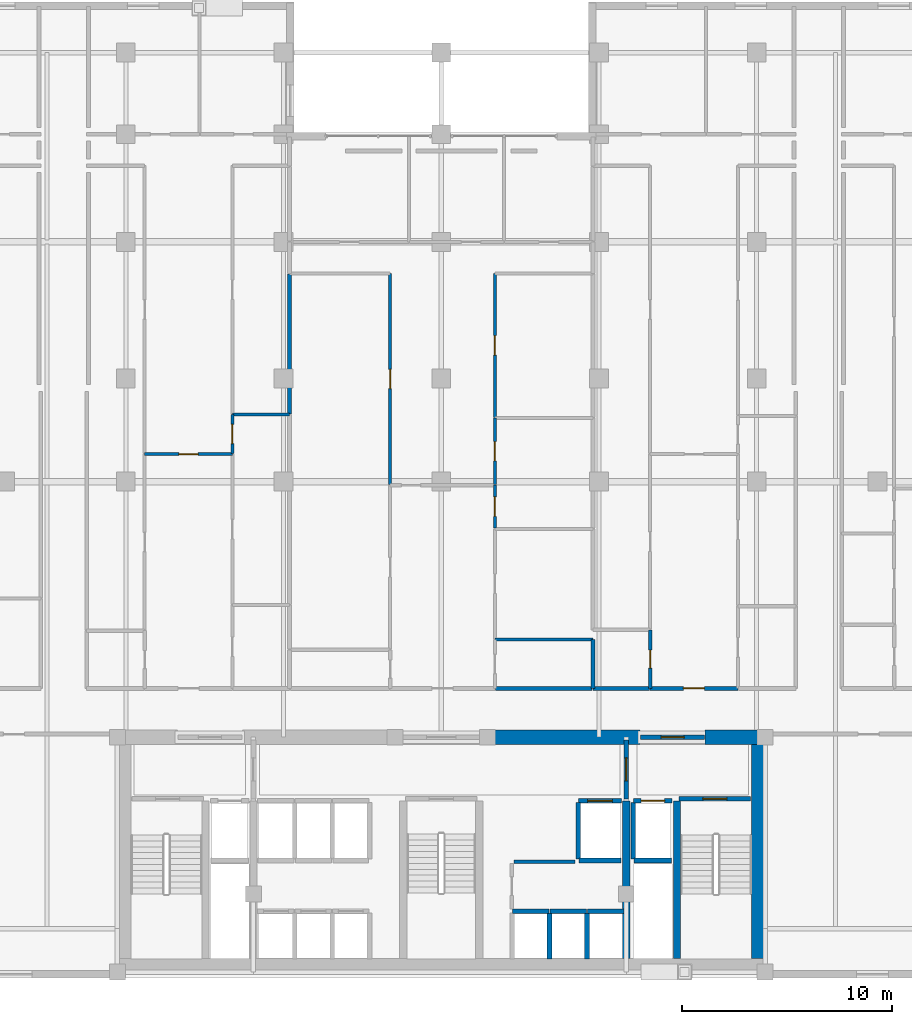
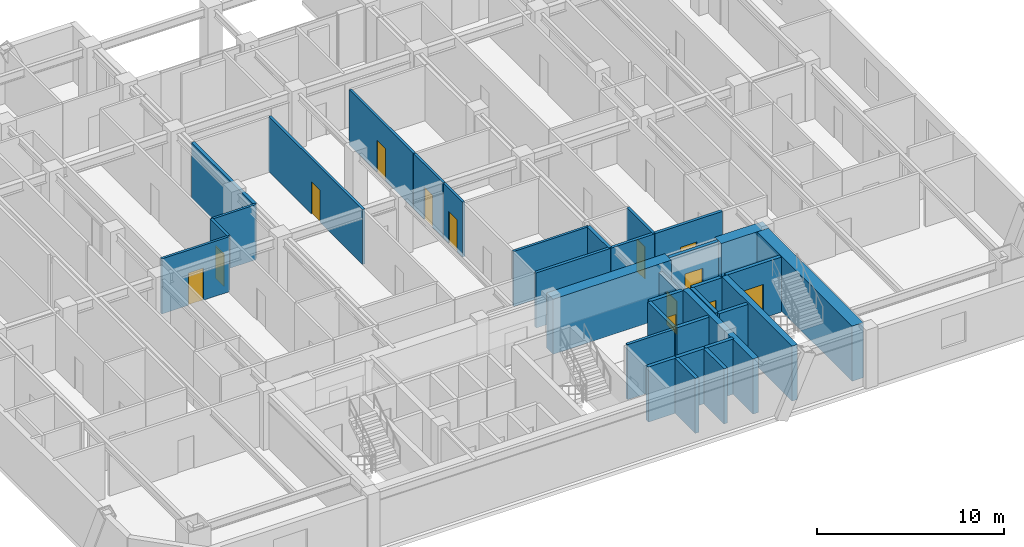
# One storey, part 9 of 14: 34 walls, 13 doors, 13 openings.
"""IFC4 building model written with IfcOpenShell, lengths in metres."""

from ifc_helpers import new_model, si_unit, direction, frame, frame_2d, origin, place, context, subcontext, project, spatial, rectangle, extrude, material, layer, layer_set, type_object, element, fill, save


model = new_model("IFC4")

# Units and contexts
model_context = context("Model", 3, precision=1e-05, world=origin(), true_north=direction((0.0, 1.0)))
body_context = subcontext(model_context, "Body", "Model", "MODEL_VIEW")
ifc_project = project(units=[si_unit("LENGTHUNIT", "METRE"), si_unit("AREAUNIT", "SQUARE_METRE"), si_unit("VOLUMEUNIT", "CUBIC_METRE"), si_unit("PLANEANGLEUNIT", "RADIAN"), si_unit("MASSUNIT", "GRAM", prefix="KILO")], contexts=[model_context])

# Site, building, storey
site_placement = place(None, origin())
site = spatial("IfcSite", under=ifc_project, at=site_placement, CompositionType="ELEMENT")
building_placement = place(site_placement, origin())
building = spatial("IfcBuilding", under=site, at=building_placement, Name="Ventersveld Concourse Tower", CompositionType="ELEMENT")
storey_placement = place(building_placement, frame((0.0, 0.0, 81.050048828125)))
storey = spatial("IfcBuildingStorey", under=building, at=storey_placement, Name="L19", CompositionType="ELEMENT", Elevation=81.050048828125)

# Walls
ifc_material_1 = material(Name="Concrete C60/75", Category="concrete")
ifc_layer_1 = layer(ifc_material_1, 0.35009765625)
ifc_layer_set_1 = layer_set([ifc_layer_1], Name="Concrete C60/75")
wall_type_1 = type_object("IfcWallType", Name="WL-CORE-350L", PredefinedType="SHEAR", material=ifc_layer_set_1)
for number, where, z_axis, x_axis, name in (
    (1, (37.550048828125, 0.919921875, 0.0), (0.0, 0.0, 1.0), (0.0, 1.0, 0.0), "L19 Core Internal Shear Web W-SVL-W"),
    (2, (39.9599609375, 0.919921875, 0.0), (0.0, 0.0, 1.0), (0.0, 1.0, 0.0), "L19 Core Internal Shear Web W-ST2-W"),
):
    element("IfcWall", number, at=place(storey_placement, frame(where, z_axis=z_axis, x_axis=x_axis)), inside=storey, type_object=wall_type_1, Name=name, PredefinedType="SHEAR", context=body_context, shape_type="SweptSolid", body=[
        extrude(rectangle(XDim=7.5, YDim=0.35009765625, at=frame_2d((3.75, 0.0))), origin(), (0.0, 0.0, 1.0), 3.599853515625),
    ])
ifc_layer_2 = layer(ifc_material_1, 0.699951171875)
ifc_layer_set_2 = layer_set([ifc_layer_2], Name="Concrete C60/75")
wall_type_2 = type_object("IfcWallType", Name="WL-CORE-700", PredefinedType="SHEAR", material=ifc_layer_set_2)
wall_1_placement = place(storey_placement, frame((43.85009765625, 0.919921875, 0.0), z_axis=(0.0, 0.0, 1.0), x_axis=(0.0, 1.0, 0.0)))
element("IfcWall", 3, at=wall_1_placement, inside=storey, type_object=wall_type_2, Name="L19 Rear Core East Shear Wall", PredefinedType="SHEAR", context=body_context, shape_type="SweptSolid", body=[
    extrude(rectangle(XDim=10.530029296875, YDim=0.699951171875, at=frame_2d((5.26513671875, 0.0))), origin(), (0.0, 0.0, 1.0), 3.599853515625),
])
wall_2_placement = place(storey_placement, frame((30.89990234375, 11.449951171875, 0.0), z_axis=(0.0, 0.0, 1.0), x_axis=(1.0, 0.0, 0.0)))
element("IfcWall", 4, at=wall_2_placement, inside=storey, type_object=wall_type_2, Name="L19 Rear Core North Shear Wall NMR", PredefinedType="SHEAR", context=body_context, shape_type="SweptSolid", body=[
    extrude(rectangle(XDim=7.300048828125, YDim=0.699951171875, at=frame_2d((3.64990234375, 0.0))), origin(), (0.0, 0.0, 1.0), 3.599853515625),
])
wall_3_placement = place(storey_placement, frame((41.300048828125, 11.449951171875, 0.0), z_axis=(0.0, 0.0, 1.0), x_axis=(1.0, 0.0, 0.0)))
element("IfcWall", 5, at=wall_3_placement, inside=storey, type_object=wall_type_2, Name="L19 Rear Core North Shear Wall NE", PredefinedType="SHEAR", context=body_context, shape_type="SweptSolid", body=[
    extrude(rectangle(XDim=2.949951171875, YDim=0.699951171875, at=frame_2d((1.47509765625, 0.0))), origin(), (0.0, 0.0, 1.0), 3.599853515625),
])
ifc_material_2 = material(Name="Fire-rated autoclaved aerated masonry blockwork", Category="masonry")
ifc_layer_3 = layer(ifc_material_2, 0.179931640625)
ifc_layer_set_3 = layer_set([ifc_layer_3], Name="Fire-rated autoclaved aerated masonry blockwork")
wall_type_3 = type_object("IfcWallType", Name="WL-CORR-180", PredefinedType="PARTITIONING", material=ifc_layer_set_3)
wall_4_placement = place(storey_placement, frame((32.219970703125, 5.530029296875, 0.0), z_axis=(0.0, 0.0, 1.0), x_axis=(1.0, 0.0, 0.0)))
element("IfcWall", 6, at=wall_4_placement, inside=storey, type_object=wall_type_3, Name="L19 Core Top Wall SP-L19-CBAY2", PredefinedType="PARTITIONING", context=body_context, shape_type="SweptSolid", body=[
    extrude(rectangle(XDim=2.900146484375, YDim=0.179931640625, at=frame_2d((1.4501953125, 0.0))), origin(), (0.0, 0.0, 1.0), 3.599853515625),
])

# Wall, opening, door
wall_5_placement = place(storey_placement, frame((38.672119140625, 13.77001953125, 0.0), z_axis=(0.0, 0.0, 1.0), x_axis=(1.0, 0.0, 0.0)))
wall_5 = element("IfcWall", 7, at=wall_5_placement, inside=storey, type_object=wall_type_3, Name="L19 Interior Partition SP-L19-COR-SP-L19-19CE-FOY", PredefinedType="PARTITIONING", context=body_context, shape_type="SweptSolid", body=[
    extrude(rectangle(XDim=4.186279296875, YDim=0.179931640625, at=frame_2d((2.09326171875, 0.0))), origin(), (0.0, 0.0, 1.0), 3.599853515625),
])
opening_1_placement = place(wall_5_placement, frame((1.593017578125, 0.0, 0.0)))
opening_1 = element("IfcOpeningElement", 8, at=opening_1_placement, cuts=wall_5, Name="Opening FD3", PredefinedType="OPENING", context=body_context, shape_type="SweptSolid", body=[
    extrude(rectangle(XDim=1.0, YDim=2.14990234375, at=frame_2d((0.5, 1.074951171875))), frame((0.0, 0.10009765625, 0.0), z_axis=(0.0, -1.0, 0.0), x_axis=(1.0, 0.0, 0.0)), (0.0, 0.0, 1.0), 0.199951171875),
])
ifc_material_3 = material(Name="Solid-core hardwood veneer timber", Category="wood")
door_type_1 = type_object("IfcDoorType", Name="DR-FLAT-100", OperationType="NOTDEFINED", PredefinedType="DOOR", material=ifc_material_3)
door_1_placement = place(opening_1_placement, origin())
door_1 = element("IfcDoor", 9, at=door_1_placement, inside=storey, type_object=door_type_1, Name="L19 Interior Door SP-L19-COR to SP-L19-19CE-FOY (FD-L19-0888)", OperationType="SINGLE_SWING_RIGHT", OverallHeight=2.14990234375, OverallWidth=1.0, PredefinedType="DOOR", context=body_context, shape_type="SweptSolid", body=[
    extrude(rectangle(XDim=1.0, YDim=2.14990234375, at=frame_2d((0.5, 1.074951171875))), frame((0.0, 0.02490234375, 0.0), z_axis=(0.0, -1.0, 0.0), x_axis=(1.0, 0.0, 0.0)), (0.0, 0.0, 1.0), 0.050048828125),
])
fill(opening_1, door_1)

# Walls
wall_6_placement = place(storey_placement, frame((35.955078125, 13.77001953125, 0.0), z_axis=(0.0, 0.0, 1.0), x_axis=(1.0, 0.0, 0.0)))
element("IfcWall", 10, at=wall_6_placement, inside=storey, type_object=wall_type_3, Name="L19 Interior Partition SP-L19-COR-SP-L19-19CE-BATH", PredefinedType="PARTITIONING", context=body_context, shape_type="SweptSolid", body=[
    extrude(rectangle(XDim=2.68701171875, YDim=0.179931640625, at=frame_2d((1.343505859375, 0.0))), origin(), (0.0, 0.0, 1.0), 3.599853515625),
])
wall_7_placement = place(storey_placement, frame((31.334228515625, 13.77001953125, 0.0), z_axis=(0.0, 0.0, 1.0), x_axis=(1.0, 0.0, 0.0)))
element("IfcWall", 11, at=wall_7_placement, inside=storey, type_object=wall_type_3, Name="L19 Interior Partition SP-L19-COR-SP-L19-19CM-KIT", PredefinedType="PARTITIONING", context=body_context, shape_type="SweptSolid", body=[
    extrude(rectangle(XDim=4.5908203125, YDim=0.179931640625, at=frame_2d((2.29541015625, 0.0))), origin(), (0.0, 0.0, 1.0), 3.599853515625),
])
ifc_layer_4 = layer(ifc_material_2, 0.199951171875)
ifc_layer_set_4 = layer_set([ifc_layer_4], Name="Fire-rated autoclaved aerated masonry blockwork")
wall_type_4 = type_object("IfcWallType", Name="WL-DEMISE-200", PredefinedType="PARTITIONING", material=ifc_layer_set_4)
wall_8_placement = place(storey_placement, frame((21.5400390625, 26.822998046875, 0.0), z_axis=(0.0, 0.0, 1.0), x_axis=(0.0, 1.0, 0.0)))
element("IfcWall", 12, at=wall_8_placement, inside=storey, type_object=wall_type_4, Name="L19 Interior Partition SP-L19-19CW-DENS-SP-L19-19CM-SEML0", PredefinedType="PARTITIONING", context=body_context, shape_type="SweptSolid", body=[
    extrude(rectangle(XDim=6.64208984375, YDim=0.199951171875, at=frame_2d((3.321044921875, 0.0))), origin(), (0.0, 0.0, 1.0), 3.599853515625),
])
wall_9_placement = place(storey_placement, frame((35.9599609375, 13.764892578125, 0.0), z_axis=(0.0, 0.0, 1.0), x_axis=(0.0, 1.0, 0.0)))
element("IfcWall", 13, at=wall_9_placement, inside=storey, type_object=wall_type_4, Name="L19 Interior Partition SP-L19-19CE-BATH-SP-L19-19CM-KIT", PredefinedType="PARTITIONING", context=body_context, shape_type="SweptSolid", body=[
    extrude(rectangle(XDim=2.33251953125, YDim=0.199951171875, at=frame_2d((1.166259765625, 0.0))), origin(), (0.0, 0.0, 1.0), 3.599853515625),
])
ifc_layer_5 = layer(ifc_material_2, 0.219970703125)
ifc_layer_set_5 = layer_set([ifc_layer_5], Name="Fire-rated autoclaved aerated masonry blockwork")
wall_type_5 = type_object("IfcWallType", Name="WL-HOIST-220", PredefinedType="SOLIDWALL", material=ifc_layer_set_5)
wall_10_placement = place(storey_placement, frame((37.919921875, 5.590087890625, 0.0), z_axis=(0.0, 0.0, 1.0), x_axis=(1.0, 0.0, 0.0)))
element("IfcWall", 14, at=wall_10_placement, inside=storey, type_object=wall_type_5, Name="L19 Lift Hoistway Back Wall FFL-02", PredefinedType="SOLIDWALL", context=body_context, shape_type="SweptSolid", body=[
    extrude(rectangle(XDim=1.780029296875, YDim=0.219970703125, at=frame_2d((0.89013671875, 0.0))), origin(), (0.0, 0.0, 1.0), 3.599853515625),
])
wall_11_placement = place(storey_placement, frame((37.8798828125, 5.64990234375, 0.0), z_axis=(0.0, 0.0, 1.0), x_axis=(0.0, 1.0, 0.0)))
element("IfcWall", 15, at=wall_11_placement, inside=storey, type_object=wall_type_5, Name="L19 Lift Hoistway Side Wall FFL-02W", PredefinedType="SOLIDWALL", context=body_context, shape_type="SweptSolid", body=[
    extrude(rectangle(XDim=2.7001953125, YDim=0.219970703125, at=frame_2d((1.35009765625, 0.0))), origin(), (0.0, 0.0, 1.0), 3.599853515625),
])

# Wall, opening, door
wall_12_placement = place(storey_placement, frame((37.89990234375, 8.429931640625, 0.0), z_axis=(0.0, 0.0, 1.0), x_axis=(1.0, 0.0, 0.0)))
wall_12 = element("IfcWall", 16, at=wall_12_placement, inside=storey, type_object=wall_type_5, Name="L19 Lift Hoistway Front Wall FFL-02", PredefinedType="SOLIDWALL", context=body_context, shape_type="SweptSolid", body=[
    extrude(rectangle(XDim=1.820068359375, YDim=0.219970703125, at=frame_2d((0.91015625, 0.0))), origin(), (0.0, 0.0, 1.0), 3.599853515625),
])
opening_2_placement = place(wall_12_placement, frame((0.35009765625, 0.0, 0.0)))
opening_2 = element("IfcOpeningElement", 17, at=opening_2_placement, cuts=wall_12, Name="Opening LD1", PredefinedType="OPENING", context=body_context, shape_type="SweptSolid", body=[
    extrude(rectangle(XDim=1.1201171875, YDim=2.25, at=frame_2d((0.56005859375, 1.125))), frame((0.0, 0.1201171875, 0.0), z_axis=(0.0, -1.0, 0.0), x_axis=(1.0, 0.0, 0.0)), (0.0, 0.0, 1.0), 0.239990234375),
])
ifc_material_4 = material(Name="Brushed stainless steel 316", Category="steel")
door_type_2 = type_object("IfcDoorType", Name="LD-FF-112", OperationType="SLIDING_TO_LEFT", PredefinedType="DOOR", material=ifc_material_4)
door_2_placement = place(opening_2_placement, origin())
door_2 = element("IfcDoor", 18, at=door_2_placement, inside=storey, type_object=door_type_2, Name="L19 Lift landing door FFL-02 (LD-L19-FFL-02)", OperationType="SLIDING_TO_RIGHT", OverallHeight=2.25, OverallWidth=1.1201171875, PredefinedType="DOOR", context=body_context, shape_type="SweptSolid", body=[
    extrude(rectangle(XDim=1.1201171875, YDim=2.25, at=frame_2d((0.56005859375, 1.125))), frame((0.0, 0.02490234375, 0.0), z_axis=(0.0, -1.0, 0.0), x_axis=(1.0, 0.0, 0.0)), (0.0, 0.0, 1.0), 0.050048828125),
])
fill(opening_2, door_2)

# Walls
wall_13_placement = place(storey_placement, frame((35.300048828125, 5.590087890625, 0.0), z_axis=(0.0, 0.0, 1.0), x_axis=(1.0, 0.0, 0.0)))
element("IfcWall", 19, at=wall_13_placement, inside=storey, type_object=wall_type_5, Name="L19 Lift Hoistway Back Wall SVL-01", PredefinedType="SOLIDWALL", context=body_context, shape_type="SweptSolid", body=[
    extrude(rectangle(XDim=2.0, YDim=0.219970703125, at=frame_2d((1.0, 0.0))), origin(), (0.0, 0.0, 1.0), 3.599853515625),
])
wall_14_placement = place(storey_placement, frame((35.260009765625, 5.64990234375, 0.0), z_axis=(0.0, 0.0, 1.0), x_axis=(0.0, 1.0, 0.0)))
element("IfcWall", 20, at=wall_14_placement, inside=storey, type_object=wall_type_5, Name="L19 Lift Hoistway Side Wall SVL-01W", PredefinedType="SOLIDWALL", context=body_context, shape_type="SweptSolid", body=[
    extrude(rectangle(XDim=2.7001953125, YDim=0.219970703125, at=frame_2d((1.35009765625, 0.0))), origin(), (0.0, 0.0, 1.0), 3.599853515625),
])

# Wall, opening, door
wall_15_placement = place(storey_placement, frame((35.280029296875, 8.429931640625, 0.0), z_axis=(0.0, 0.0, 1.0), x_axis=(1.0, 0.0, 0.0)))
wall_15 = element("IfcWall", 21, at=wall_15_placement, inside=storey, type_object=wall_type_5, Name="L19 Lift Hoistway Front Wall SVL-01", PredefinedType="SOLIDWALL", context=body_context, shape_type="SweptSolid", body=[
    extrude(rectangle(XDim=2.0400390625, YDim=0.219970703125, at=frame_2d((1.02001953125, 0.0))), origin(), (0.0, 0.0, 1.0), 3.599853515625),
])
opening_3_placement = place(wall_15_placement, frame((0.429931640625, 0.0, 0.0)))
opening_3 = element("IfcOpeningElement", 22, at=opening_3_placement, cuts=wall_15, Name="Opening LD2", PredefinedType="OPENING", context=body_context, shape_type="SweptSolid", body=[
    extrude(rectangle(XDim=1.179931640625, YDim=2.199951171875, at=frame_2d((0.58984375, 1.10009765625))), frame((0.0, 0.1201171875, 0.0), z_axis=(0.0, -1.0, 0.0), x_axis=(1.0, 0.0, 0.0)), (0.0, 0.0, 1.0), 0.239990234375),
])
door_type_3 = type_object("IfcDoorType", Name="LD-PAX-118", OperationType="SLIDING_TO_LEFT", PredefinedType="DOOR", material=ifc_material_4)
door_3_placement = place(opening_3_placement, origin())
door_3 = element("IfcDoor", 23, at=door_3_placement, inside=storey, type_object=door_type_3, Name="L19 Lift landing door SVL-01 (LD-L19-SVL-01)", OperationType="SLIDING_TO_LEFT", OverallHeight=2.199951171875, OverallWidth=1.179931640625, PredefinedType="DOOR", context=body_context, shape_type="SweptSolid", body=[
    extrude(rectangle(XDim=1.179931640625, YDim=2.199951171875, at=frame_2d((0.58984375, 1.10009765625))), frame((0.0, 0.02490234375, 0.0), z_axis=(0.0, -1.0, 0.0), x_axis=(1.0, 0.0, 0.0)), (0.0, 0.0, 1.0), 0.050048828125),
])
fill(opening_3, door_3)

# Walls
wall_16_placement = place(storey_placement, frame((33.89990234375, 0.89990234375, 0.0), z_axis=(0.0, 0.0, 1.0), x_axis=(0.0, 1.0, 0.0)))
element("IfcWall", 24, at=wall_16_placement, inside=storey, type_object=wall_type_5, Name="L19 Lift Hoistway Side Wall PM-01E", PredefinedType="SOLIDWALL", context=body_context, shape_type="SweptSolid", body=[
    extrude(rectangle(XDim=2.2001953125, YDim=0.219970703125, at=frame_2d((1.10009765625, 0.0))), origin(), (0.0, 0.0, 1.0), 3.599853515625),
])
wall_17_placement = place(storey_placement, frame((32.139892578125, 3.179931640625, 0.0), z_axis=(0.0, 0.0, 1.0), x_axis=(1.0, 0.0, 0.0)))
element("IfcWall", 25, at=wall_17_placement, inside=storey, type_object=wall_type_5, Name="L19 Lift Hoistway Front Wall PM-01", PredefinedType="SOLIDWALL", context=body_context, shape_type="SweptSolid", body=[
    extrude(rectangle(XDim=1.739990234375, YDim=0.219970703125, at=frame_2d((0.8701171875, 0.0))), origin(), (0.0, 0.0, 1.0), 3.599853515625),
])
wall_18_placement = place(storey_placement, frame((35.679931640625, 0.89990234375, 0.0), z_axis=(0.0, 0.0, 1.0), x_axis=(0.0, 1.0, 0.0)))
element("IfcWall", 26, at=wall_18_placement, inside=storey, type_object=wall_type_5, Name="L19 Lift Hoistway Side Wall PM-02E", PredefinedType="SOLIDWALL", context=body_context, shape_type="SweptSolid", body=[
    extrude(rectangle(XDim=2.2001953125, YDim=0.219970703125, at=frame_2d((1.10009765625, 0.0))), origin(), (0.0, 0.0, 1.0), 3.599853515625),
])
for number, where, z_axis, x_axis, name in (
    (27, (33.919921875, 3.179931640625, 0.0), (0.0, 0.0, 1.0), (1.0, 0.0, 0.0), "L19 Lift Hoistway Front Wall PM-02"),
    (28, (35.699951171875, 3.179931640625, 0.0), (0.0, 0.0, 1.0), (1.0, 0.0, 0.0), "L19 Lift Hoistway Front Wall PM-03"),
):
    element("IfcWall", number, at=place(storey_placement, frame(where, z_axis=z_axis, x_axis=x_axis)), inside=storey, type_object=wall_type_5, Name=name, PredefinedType="SOLIDWALL", context=body_context, shape_type="SweptSolid", body=[
        extrude(rectangle(XDim=1.739990234375, YDim=0.219970703125, at=frame_2d((0.8701171875, 0.0))), origin(), (0.0, 0.0, 1.0), 3.599853515625),
    ])

# Wall, opening, door
wall_19_placement = place(storey_placement, frame((40.06005859375, 8.52001953125, 0.0), z_axis=(0.0, 0.0, 1.0), x_axis=(1.0, 0.0, 0.0)))
wall_19 = element("IfcWall", 29, at=wall_19_placement, inside=storey, type_object=wall_type_5, Name="L19 Escape Stair ST02 Fire Wall", PredefinedType="SOLIDWALL", context=body_context, shape_type="SweptSolid", body=[
    extrude(rectangle(XDim=3.39990234375, YDim=0.219970703125, at=frame_2d((1.699951171875, 0.0))), origin(), (0.0, 0.0, 1.0), 3.599853515625),
])
opening_4_placement = place(wall_19_placement, frame((1.125, 0.0, 0.0)))
opening_4 = element("IfcOpeningElement", 30, at=opening_4_placement, cuts=wall_19, Name="Opening FD1", PredefinedType="OPENING", context=body_context, shape_type="SweptSolid", body=[
    extrude(rectangle(XDim=1.14990234375, YDim=2.199951171875, at=frame_2d((0.574951171875, 1.10009765625))), frame((0.0, 0.1201171875, 0.0), z_axis=(0.0, -1.0, 0.0), x_axis=(1.0, 0.0, 0.0)), (0.0, 0.0, 1.0), 0.239990234375),
])
ifc_material_5 = material(Name="Galvanised painted steel", Category="steel")
door_type_4 = type_object("IfcDoorType", Name="DR-STAIR-115", OperationType="NOTDEFINED", PredefinedType="DOOR", material=ifc_material_5)
door_4_placement = place(opening_4_placement, origin())
door_4 = element("IfcDoor", 31, at=door_4_placement, inside=storey, type_object=door_type_4, Name="L19 Escape Stair Door ST02 (SD-L19-0875)", OperationType="SINGLE_SWING_RIGHT", OverallHeight=2.199951171875, OverallWidth=1.14990234375, PredefinedType="DOOR", context=body_context, shape_type="SweptSolid", body=[
    extrude(rectangle(XDim=1.14990234375, YDim=2.199951171875, at=frame_2d((0.574951171875, 1.10009765625))), frame((0.0, 0.02490234375, 0.0), z_axis=(0.0, -1.0, 0.0), x_axis=(1.0, 0.0, 0.0)), (0.0, 0.0, 1.0), 0.050048828125),
])
fill(opening_4, door_4)

wall_20_placement = place(storey_placement, frame((37.550048828125, 8.52001953125, 0.0), z_axis=(0.0, 0.0, 1.0), x_axis=(0.0, 1.0, 0.0)))
wall_20 = element("IfcWall", 32, at=wall_20_placement, inside=storey, type_object=wall_type_5, Name="L19 Firefighting Lobby Smoke-Stop Wall FFLE-SEP", PredefinedType="SOLIDWALL", context=body_context, shape_type="SweptSolid", body=[
    extrude(rectangle(XDim=2.800048828125, YDim=0.219970703125, at=frame_2d((1.39990234375, 0.0))), origin(), (0.0, 0.0, 1.0), 3.055419921875),
])
opening_5_placement = place(wall_20_placement, frame((0.85009765625, 0.0, 0.0)))
opening_5 = element("IfcOpeningElement", 33, at=opening_5_placement, cuts=wall_20, Name="Opening FD2", PredefinedType="OPENING", context=body_context, shape_type="SweptSolid", body=[
    extrude(rectangle(XDim=1.10009765625, YDim=2.199951171875, at=frame_2d((0.550048828125, 1.10009765625))), frame((0.0, 0.1201171875, 0.0), z_axis=(0.0, -1.0, 0.0), x_axis=(1.0, 0.0, 0.0)), (0.0, 0.0, 1.0), 0.239990234375),
])
door_type_5 = type_object("IfcDoorType", Name="DR-FFL-110", OperationType="NOTDEFINED", PredefinedType="DOOR", material=ifc_material_5)
door_5_placement = place(opening_5_placement, origin())
door_5 = element("IfcDoor", 34, at=door_5_placement, inside=storey, type_object=door_type_5, Name="L19 Firefighting Lobby Door FFLE-SEP (FD-L19-0878)", OperationType="SINGLE_SWING_RIGHT", OverallHeight=2.199951171875, OverallWidth=1.10009765625, PredefinedType="DOOR", context=body_context, shape_type="SweptSolid", body=[
    extrude(rectangle(XDim=1.10009765625, YDim=2.199951171875, at=frame_2d((0.550048828125, 1.10009765625))), frame((0.0, 0.02490234375, 0.0), z_axis=(0.0, -1.0, 0.0), x_axis=(1.0, 0.0, 0.0)), (0.0, 0.0, 1.0), 0.050048828125),
])
fill(opening_5, door_5)

wall_21_placement = place(storey_placement, frame((38.22998046875, 11.449951171875, 0.0), z_axis=(0.0, 0.0, 1.0), x_axis=(1.0, 0.0, 0.0)))
wall_21 = element("IfcWall", 35, at=wall_21_placement, inside=storey, type_object=wall_type_5, Name="L19 Core North Fire Portal FFLE-OUT", PredefinedType="SOLIDWALL", context=body_context, shape_type="SweptSolid", body=[
    extrude(rectangle(XDim=3.0400390625, YDim=0.219970703125, at=frame_2d((1.52001953125, 0.0))), origin(), (0.0, 0.0, 1.0), 3.599853515625),
])
opening_6_placement = place(wall_21_placement, frame((0.969970703125, 0.0, 0.0)))
opening_6 = element("IfcOpeningElement", 36, at=opening_6_placement, cuts=wall_21, Name="Opening FD2", PredefinedType="OPENING", context=body_context, shape_type="SweptSolid", body=[
    extrude(rectangle(XDim=1.10009765625, YDim=2.199951171875, at=frame_2d((0.550048828125, 1.10009765625))), frame((0.0, 0.1201171875, 0.0), z_axis=(0.0, -1.0, 0.0), x_axis=(1.0, 0.0, 0.0)), (0.0, 0.0, 1.0), 0.239990234375),
])
door_6_placement = place(opening_6_placement, origin())
door_6 = element("IfcDoor", 37, at=door_6_placement, inside=storey, type_object=door_type_5, Name="L19 Core Lobby Fire Door FFLE-OUT (FD-L19-0881)", OperationType="SINGLE_SWING_LEFT", OverallHeight=2.199951171875, OverallWidth=1.10009765625, PredefinedType="DOOR", context=body_context, shape_type="SweptSolid", body=[
    extrude(rectangle(XDim=1.10009765625, YDim=2.199951171875, at=frame_2d((0.550048828125, 1.10009765625))), frame((0.0, 0.02490234375, 0.0), z_axis=(0.0, -1.0, 0.0), x_axis=(1.0, 0.0, 0.0)), (0.0, 0.0, 1.0), 0.050048828125),
])
fill(opening_6, door_6)

ifc_material_6 = material(Name="Autoclaved aerated masonry blockwork", Category="masonry")
ifc_layer_6 = layer(ifc_material_6, 0.14990234375)
ifc_layer_set_6 = layer_set([ifc_layer_6], Name="Autoclaved aerated masonry blockwork")
wall_type_6 = type_object("IfcWallType", Name="WL-INT-150", PredefinedType="PARTITIONING", material=ifc_layer_set_6)
wall_22_placement = place(storey_placement, frame((14.6416015625, 24.911865234375, 0.0), z_axis=(0.0, 0.0, 1.0), x_axis=(1.0, 0.0, 0.0)))
wall_22 = element("IfcWall", 38, at=wall_22_placement, inside=storey, type_object=wall_type_6, Name="L19 Interior Partition SP-L19-19CW-FOY-SP-L19-19CW-LIV", PredefinedType="PARTITIONING", context=body_context, shape_type="SweptSolid", body=[
    extrude(rectangle(XDim=4.186279296875, YDim=0.14990234375, at=frame_2d((2.09326171875, 0.0))), origin(), (0.0, 0.0, 1.0), 3.599853515625),
])
opening_7_placement = place(wall_22_placement, frame((1.633056640625, 0.0, 0.0)))
opening_7 = element("IfcOpeningElement", 39, at=opening_7_placement, cuts=wall_22, Name="Opening ID1", PredefinedType="OPENING", context=body_context, shape_type="SweptSolid", body=[
    extrude(rectangle(XDim=0.919921875, YDim=2.10009765625, at=frame_2d((0.4599609375, 1.050048828125))), frame((0.0, 0.0849609375, 0.0), z_axis=(0.0, -1.0, 0.0), x_axis=(1.0, 0.0, 0.0)), (0.0, 0.0, 1.0), 0.169921875),
])
door_type_6 = type_object("IfcDoorType", Name="DR-ROOM-092", OperationType="NOTDEFINED", PredefinedType="DOOR", material=ifc_material_3)
door_7_placement = place(opening_7_placement, origin())
door_7 = element("IfcDoor", 40, at=door_7_placement, inside=storey, type_object=door_type_6, Name="L19 Interior Door SP-L19-19CW-FOY to SP-L19-19CW-LIV (D-L19-0911)", OperationType="SINGLE_SWING_LEFT", OverallHeight=2.10009765625, OverallWidth=0.919921875, PredefinedType="DOOR", context=body_context, shape_type="SweptSolid", body=[
    extrude(rectangle(XDim=0.919921875, YDim=2.10009765625, at=frame_2d((0.4599609375, 1.050048828125))), frame((0.0, 0.02490234375, 0.0), z_axis=(0.0, -1.0, 0.0), x_axis=(1.0, 0.0, 0.0)), (0.0, 0.0, 1.0), 0.050048828125),
])
fill(opening_7, door_7)

wall_23_placement = place(storey_placement, frame((18.82275390625, 24.947021484375, 0.0), z_axis=(0.0, 0.0, 1.0), x_axis=(0.0, 1.0, 0.0)))
wall_23 = element("IfcWall", 41, at=wall_23_placement, inside=storey, type_object=wall_type_6, Name="L19 Interior Partition SP-L19-19CW-LIV-SP-L19-19CW-DENR", PredefinedType="PARTITIONING", context=body_context, shape_type="SweptSolid", body=[
    extrude(rectangle(XDim=1.845947265625, YDim=0.14990234375, at=frame_2d((0.9228515625, 0.0))), origin(), (0.0, 0.0, 1.0), 3.599853515625),
])
opening_8_placement = place(wall_23_placement, frame((0.462890625, 0.0, 0.0)))
opening_8 = element("IfcOpeningElement", 42, at=opening_8_placement, cuts=wall_23, Name="Opening ID1", PredefinedType="OPENING", context=body_context, shape_type="SweptSolid", body=[
    extrude(rectangle(XDim=0.919921875, YDim=2.10009765625, at=frame_2d((0.4599609375, 1.050048828125))), frame((0.0, 0.0849609375, 0.0), z_axis=(0.0, -1.0, 0.0), x_axis=(1.0, 0.0, 0.0)), (0.0, 0.0, 1.0), 0.169921875),
])
door_8_placement = place(opening_8_placement, origin())
door_8 = element("IfcDoor", 43, at=door_8_placement, inside=storey, type_object=door_type_6, Name="L19 Interior Door SP-L19-19CW-LIV to SP-L19-19CW-DENR (D-L19-0917)", OperationType="SINGLE_SWING_LEFT", OverallHeight=2.10009765625, OverallWidth=0.919921875, PredefinedType="DOOR", context=body_context, shape_type="SweptSolid", body=[
    extrude(rectangle(XDim=0.919921875, YDim=2.10009765625, at=frame_2d((0.4599609375, 1.050048828125))), frame((0.0, 0.02490234375, 0.0), z_axis=(0.0, -1.0, 0.0), x_axis=(1.0, 0.0, 0.0)), (0.0, 0.0, 1.0), 0.050048828125),
])
fill(opening_8, door_8)

# Wall
wall_24_placement = place(storey_placement, frame((18.81787109375, 26.787841796875, 0.0), z_axis=(0.0, 0.0, 1.0), x_axis=(1.0, 0.0, 0.0)))
element("IfcWall", 44, at=wall_24_placement, inside=storey, type_object=wall_type_6, Name="L19 Interior Partition SP-L19-19CW-DENR-SP-L19-19CW-DENS", PredefinedType="PARTITIONING", context=body_context, shape_type="SweptSolid", body=[
    extrude(rectangle(XDim=2.72705078125, YDim=0.14990234375, at=frame_2d((1.363525390625, 0.0))), origin(), (0.0, 0.0, 1.0), 3.599853515625),
])

# Wall, opening, door
wall_25_placement = place(storey_placement, frame((31.29931640625, 21.39111328125, 0.0), z_axis=(0.0, 0.0, 1.0), x_axis=(0.0, 1.0, 0.0)))
wall_25 = element("IfcWall", 45, at=wall_25_placement, inside=storey, type_object=wall_type_6, Name="L19 Interior Partition SP-L19-19CM-FOY-SP-L19-19CM-DENS", PredefinedType="PARTITIONING", context=body_context, shape_type="SweptSolid", body=[
    extrude(rectangle(XDim=2.043212890625, YDim=0.14990234375, at=frame_2d((1.021484375, 0.0))), origin(), (0.0, 0.0, 1.0), 3.599853515625),
])
opening_9_placement = place(wall_25_placement, frame((0.5615234375, 0.0, 0.0)))
opening_9 = element("IfcOpeningElement", 46, at=opening_9_placement, cuts=wall_25, Name="Opening ID1", PredefinedType="OPENING", context=body_context, shape_type="SweptSolid", body=[
    extrude(rectangle(XDim=0.919921875, YDim=2.10009765625, at=frame_2d((0.4599609375, 1.050048828125))), frame((0.0, 0.0849609375, 0.0), z_axis=(0.0, -1.0, 0.0), x_axis=(1.0, 0.0, 0.0)), (0.0, 0.0, 1.0), 0.169921875),
])
door_9_placement = place(opening_9_placement, origin())
door_9 = element("IfcDoor", 47, at=door_9_placement, inside=storey, type_object=door_type_6, Name="L19 Interior Door SP-L19-19CM-FOY to SP-L19-19CM-DENS (D-L19-0936)", OperationType="SINGLE_SWING_RIGHT", OverallHeight=2.10009765625, OverallWidth=0.919921875, PredefinedType="DOOR", context=body_context, shape_type="SweptSolid", body=[
    extrude(rectangle(XDim=0.919921875, YDim=2.10009765625, at=frame_2d((0.4599609375, 1.050048828125))), frame((0.0, 0.02490234375, 0.0), z_axis=(0.0, -1.0, 0.0), x_axis=(1.0, 0.0, 0.0)), (0.0, 0.0, 1.0), 0.050048828125),
])
fill(opening_9, door_9)

wall_26_placement = place(storey_placement, frame((26.319091796875, 23.46435546875, 0.0), z_axis=(0.0, 0.0, 1.0), x_axis=(0.0, 1.0, 0.0)))
wall_26 = element("IfcWall", 48, at=wall_26_placement, inside=storey, type_object=wall_type_6, Name="L19 Interior Partition SP-L19-19CM-LIV-SP-L19-19CM-SEML0", PredefinedType="PARTITIONING", context=body_context, shape_type="SweptSolid", body=[
    extrude(rectangle(XDim=10.04052734375, YDim=0.14990234375, at=frame_2d((5.020263671875, 0.0))), origin(), (0.0, 0.0, 1.0), 3.599853515625),
])
opening_10_placement = place(wall_26_placement, frame((4.560302734375, 0.0, 0.0)))
opening_10 = element("IfcOpeningElement", 49, at=opening_10_placement, cuts=wall_26, Name="Opening ID1", PredefinedType="OPENING", context=body_context, shape_type="SweptSolid", body=[
    extrude(rectangle(XDim=0.919921875, YDim=2.10009765625, at=frame_2d((0.4599609375, 1.050048828125))), frame((0.0, 0.0849609375, 0.0), z_axis=(0.0, -1.0, 0.0), x_axis=(1.0, 0.0, 0.0)), (0.0, 0.0, 1.0), 0.169921875),
])
door_10_placement = place(opening_10_placement, origin())
door_10 = element("IfcDoor", 50, at=door_10_placement, inside=storey, type_object=door_type_6, Name="L19 Interior Door SP-L19-19CM-LIV to SP-L19-19CM-SEML0 (D-L19-0937)", OperationType="SINGLE_SWING_LEFT", OverallHeight=2.10009765625, OverallWidth=0.919921875, PredefinedType="DOOR", context=body_context, shape_type="SweptSolid", body=[
    extrude(rectangle(XDim=0.919921875, YDim=2.10009765625, at=frame_2d((0.4599609375, 1.050048828125))), frame((0.0, 0.02490234375, 0.0), z_axis=(0.0, -1.0, 0.0), x_axis=(1.0, 0.0, 0.0)), (0.0, 0.0, 1.0), 0.050048828125),
])
fill(opening_10, door_10)

wall_27_placement = place(storey_placement, frame((31.29931640625, 23.46435546875, 0.0), z_axis=(0.0, 0.0, 1.0), x_axis=(0.0, 1.0, 0.0)))
wall_27 = element("IfcWall", 51, at=wall_27_placement, inside=storey, type_object=wall_type_6, Name="L19 Interior Partition SP-L19-19CM-LIV-SP-L19-19CM-DENS", PredefinedType="PARTITIONING", context=body_context, shape_type="SweptSolid", body=[
    extrude(rectangle(XDim=3.16064453125, YDim=0.14990234375, at=frame_2d((1.580322265625, 0.0))), origin(), (0.0, 0.0, 1.0), 3.599853515625),
])
opening_11_placement = place(wall_27_placement, frame((1.120361328125, 0.0, 0.0)))
opening_11 = element("IfcOpeningElement", 52, at=opening_11_placement, cuts=wall_27, Name="Opening ID1", PredefinedType="OPENING", context=body_context, shape_type="SweptSolid", body=[
    extrude(rectangle(XDim=0.919921875, YDim=2.10009765625, at=frame_2d((0.4599609375, 1.050048828125))), frame((0.0, 0.0849609375, 0.0), z_axis=(0.0, -1.0, 0.0), x_axis=(1.0, 0.0, 0.0)), (0.0, 0.0, 1.0), 0.169921875),
])
door_11_placement = place(opening_11_placement, origin())
door_11 = element("IfcDoor", 53, at=door_11_placement, inside=storey, type_object=door_type_6, Name="L19 Interior Door SP-L19-19CM-LIV to SP-L19-19CM-DENS (D-L19-0938)", OperationType="SINGLE_SWING_RIGHT", OverallHeight=2.10009765625, OverallWidth=0.919921875, PredefinedType="DOOR", context=body_context, shape_type="SweptSolid", body=[
    extrude(rectangle(XDim=0.919921875, YDim=2.10009765625, at=frame_2d((0.4599609375, 1.050048828125))), frame((0.0, 0.02490234375, 0.0), z_axis=(0.0, -1.0, 0.0), x_axis=(1.0, 0.0, 0.0)), (0.0, 0.0, 1.0), 0.050048828125),
])
fill(opening_11, door_11)

wall_28_placement = place(storey_placement, frame((31.29931640625, 26.65478515625, 0.0), z_axis=(0.0, 0.0, 1.0), x_axis=(0.0, 1.0, 0.0)))
wall_28 = element("IfcWall", 54, at=wall_28_placement, inside=storey, type_object=wall_type_6, Name="L19 Interior Partition SP-L19-19CM-LIV-SP-L19-19CM-DENS2", PredefinedType="PARTITIONING", context=body_context, shape_type="SweptSolid", body=[
    extrude(rectangle(XDim=6.85009765625, YDim=0.14990234375, at=frame_2d((3.425048828125, 0.0))), origin(), (0.0, 0.0, 1.0), 3.599853515625),
])
opening_12_placement = place(wall_28_placement, frame((2.965087890625, 0.0, 0.0)))
opening_12 = element("IfcOpeningElement", 55, at=opening_12_placement, cuts=wall_28, Name="Opening ID1", PredefinedType="OPENING", context=body_context, shape_type="SweptSolid", body=[
    extrude(rectangle(XDim=0.919921875, YDim=2.10009765625, at=frame_2d((0.4599609375, 1.050048828125))), frame((0.0, 0.0849609375, 0.0), z_axis=(0.0, -1.0, 0.0), x_axis=(1.0, 0.0, 0.0)), (0.0, 0.0, 1.0), 0.169921875),
])
door_12_placement = place(opening_12_placement, origin())
door_12 = element("IfcDoor", 56, at=door_12_placement, inside=storey, type_object=door_type_6, Name="L19 Interior Door SP-L19-19CM-LIV to SP-L19-19CM-DENS2 (D-L19-0939)", OperationType="SINGLE_SWING_LEFT", OverallHeight=2.10009765625, OverallWidth=0.919921875, PredefinedType="DOOR", context=body_context, shape_type="SweptSolid", body=[
    extrude(rectangle(XDim=0.919921875, YDim=2.10009765625, at=frame_2d((0.4599609375, 1.050048828125))), frame((0.0, 0.02490234375, 0.0), z_axis=(0.0, -1.0, 0.0), x_axis=(1.0, 0.0, 0.0)), (0.0, 0.0, 1.0), 0.050048828125),
])
fill(opening_12, door_12)

# Wall
wall_29_placement = place(storey_placement, frame((31.294189453125, 16.092529296875, 0.0), z_axis=(0.0, 0.0, 1.0), x_axis=(1.0, 0.0, 0.0)))
element("IfcWall", 57, at=wall_29_placement, inside=storey, type_object=wall_type_6, Name="L19 Interior Partition SP-L19-19CM-KIT-SP-L19-19CM-DENR", PredefinedType="PARTITIONING", context=body_context, shape_type="SweptSolid", body=[
    extrude(rectangle(XDim=4.6708984375, YDim=0.14990234375, at=frame_2d((2.33544921875, 0.0))), origin(), (0.0, 0.0, 1.0), 3.599853515625),
])

# Wall, opening, door
ifc_layer_7 = layer(ifc_material_6, 0.1650390625)
ifc_layer_set_7 = layer_set([ifc_layer_7], Name="Autoclaved aerated masonry blockwork")
wall_type_7 = type_object("IfcWallType", Name="WL-WET-165", PredefinedType="PLUMBINGWALL", material=ifc_layer_set_7)
wall_30_placement = place(storey_placement, frame((38.67724609375, 13.764892578125, 0.0), z_axis=(0.0, 0.0, 1.0), x_axis=(0.0, 1.0, 0.0)))
wall_30 = element("IfcWall", 58, at=wall_30_placement, inside=storey, type_object=wall_type_7, Name="L19 Interior Partition SP-L19-19CE-FOY-SP-L19-19CE-BATH", PredefinedType="PLUMBINGWALL", context=body_context, shape_type="SweptSolid", body=[
    extrude(rectangle(XDim=2.79150390625, YDim=0.1650390625, at=frame_2d((1.395751953125, 0.0))), origin(), (0.0, 0.0, 1.0), 3.599853515625),
])
opening_13_placement = place(wall_30_placement, frame((0.970703125, 0.0, 0.0)))
opening_13 = element("IfcOpeningElement", 59, at=opening_13_placement, cuts=wall_30, Name="Opening ID2", PredefinedType="OPENING", context=body_context, shape_type="SweptSolid", body=[
    extrude(rectangle(XDim=0.85009765625, YDim=2.10009765625, at=frame_2d((0.425048828125, 1.050048828125))), frame((0.0, 0.092529296875, 0.0), z_axis=(0.0, -1.0, 0.0), x_axis=(1.0, 0.0, 0.0)), (0.0, 0.0, 1.0), 0.18505859375),
])
door_type_7 = type_object("IfcDoorType", Name="DR-BATH-085", OperationType="NOTDEFINED", PredefinedType="DOOR", material=ifc_material_3)
door_13_placement = place(opening_13_placement, origin())
door_13 = element("IfcDoor", 60, at=door_13_placement, inside=storey, type_object=door_type_7, Name="L19 Interior Door SP-L19-19CE-FOY to SP-L19-19CE-BATH (D-L19-0922)", OperationType="SINGLE_SWING_RIGHT", OverallHeight=2.10009765625, OverallWidth=0.85009765625, PredefinedType="DOOR", context=body_context, shape_type="SweptSolid", body=[
    extrude(rectangle(XDim=0.85009765625, YDim=2.10009765625, at=frame_2d((0.425048828125, 1.050048828125))), frame((0.0, 0.02490234375, 0.0), z_axis=(0.0, -1.0, 0.0), x_axis=(1.0, 0.0, 0.0)), (0.0, 0.0, 1.0), 0.050048828125),
])
fill(opening_13, door_13)

save(model, "model.ifc")
